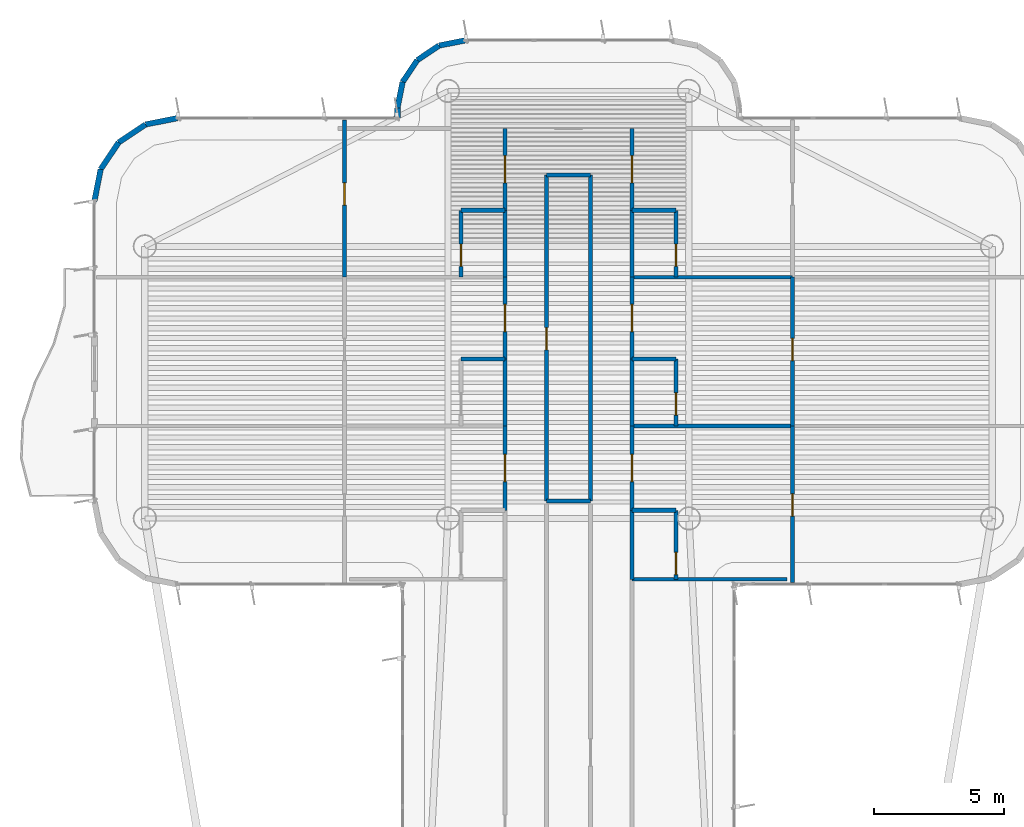
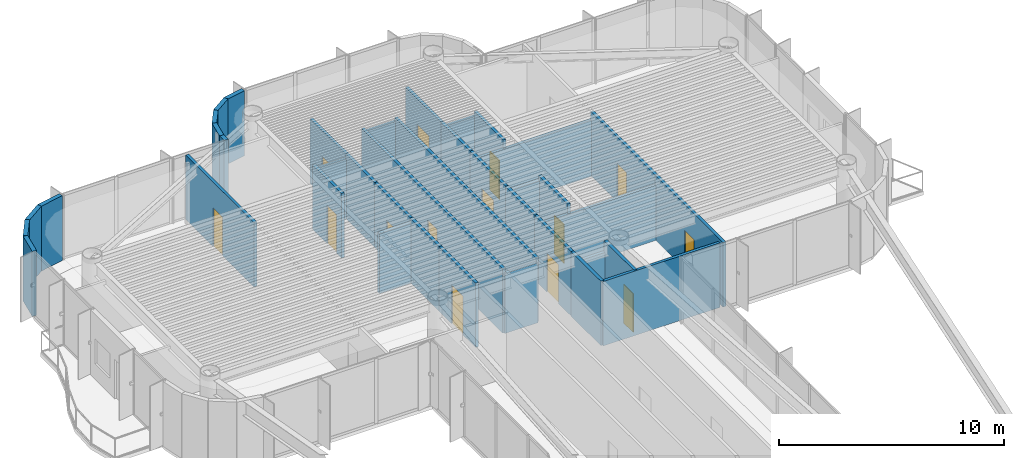
# One storey, part 12 of 16: 39 walls, 14 doors, 14 openings.
"""IFC4 building model written with IfcOpenShell, lengths in metres."""

from ifc_helpers import new_model, si_unit, direction, frame, frame_2d, origin, origin_2d, place, context, subcontext, project, spatial, rectangle, extrude, source, transform, mapped, material, layer, layer_set, type_object, element, fill, save


model = new_model("IFC4")

# Units and contexts
model_context = context("Model", 3, precision=1e-05, world=origin(), true_north=direction((0.0, 1.0)))
body_context = subcontext(model_context, "Body", "Model", "MODEL_VIEW")
ifc_project = project(units=[si_unit("LENGTHUNIT", "METRE"), si_unit("AREAUNIT", "SQUARE_METRE"), si_unit("VOLUMEUNIT", "CUBIC_METRE"), si_unit("PLANEANGLEUNIT", "RADIAN"), si_unit("MASSUNIT", "GRAM", prefix="KILO")], contexts=[model_context])

# Site, building, storey
site_placement = place(None, origin())
site = spatial("IfcSite", under=ifc_project, at=site_placement, CompositionType="ELEMENT")
building_placement = place(site_placement, origin())
building = spatial("IfcBuilding", under=site, at=building_placement, Name="Brelvock Crest Care Tower", CompositionType="ELEMENT")
storey_placement = place(building_placement, frame((0.0, 0.0, 238.139892578125)))
storey = spatial("IfcBuildingStorey", under=building, at=storey_placement, Name="L60", CompositionType="ELEMENT", Elevation=238.139892578125)

# Walls
ifc_material_1 = material(Name="Precast concrete N40 (40 MPa)", Category="concrete")
ifc_layer_1 = layer(ifc_material_1, 0.215087890625, Name="WL-EX2")
ifc_layer_set_1 = layer_set([ifc_layer_1], Name="Precast concrete N40 (40 MPa)")
wall_type_1 = type_object("IfcWallType", Name="WL-EX2", PredefinedType="SOLIDWALL", material=ifc_layer_set_1)
for number, where, z_axis, x_axis, name in (
    (1, (17.699951171875, 56.199951171875, 0.0), (0.0, 0.0, 1.0), (0.195138390419, 0.980775717779, 0.0), "L60 Rounded Corner Wall 18"),
    (2, (17.943603515625, 57.424560546875, 0.0), (0.0, 0.0, 1.0), (0.555557312883, 0.831478245117, 0.0), "L60 Rounded Corner Wall 19"),
    (3, (18.63720703125, 58.462646484375, 0.0), (0.0, 0.0, 1.0), (0.831387912822, 0.555692485475, 0.0), "L60 Rounded Corner Wall 20"),
    (4, (19.67529296875, 59.156494140625, 0.0), (0.0, 0.0, 1.0), (0.980813122964, 0.194950295773, 0.0), "L60 Rounded Corner Wall 21"),
):
    element("IfcWall", number, at=place(storey_placement, frame(where, z_axis=z_axis, x_axis=x_axis)), inside=storey, type_object=wall_type_1, Name=name, PredefinedType="SOLIDWALL", context=body_context, shape_type="SweptSolid", body=[
        extrude(rectangle(XDim=1.24853515625, YDim=0.215087890625, at=frame_2d((0.624267578125, 0.0))), origin(), (0.0, 0.0, 1.0), 3.530029296875),
    ])
wall_1_placement = place(storey_placement, frame((29.39990234375, 59.39990234375, 0.0), z_axis=(0.0, 0.0, 1.0), x_axis=(0.0, 1.0, 0.0)))
element("IfcWall", 5, at=wall_1_placement, inside=storey, type_object=wall_type_1, Name="L60 Rounded Corner Wall 23", PredefinedType="SOLIDWALL", context=body_context, shape_type="SweptSolid", body=[
    extrude(rectangle(XDim=0.400146484375, YDim=0.215087890625, at=frame_2d((0.2001953125, 0.0))), origin(), (0.0, 0.0, 1.0), 3.530029296875),
])
wall_2_placement = place(storey_placement, frame((29.39990234375, 59.800048828125, 0.0), z_axis=(0.0, 0.0, 1.0), x_axis=(0.195190360752, 0.980765376158, 0.0)))
element("IfcWall", 6, at=wall_2_placement, inside=storey, type_object=wall_type_1, Name="L60 Rounded Corner Wall 24", PredefinedType="SOLIDWALL", context=body_context, shape_type="SweptSolid", body=[
    extrude(rectangle(XDim=1.014404296875, YDim=0.215087890625, at=frame_2d((0.50732421875, 0.0))), origin(), (0.0, 0.0, 1.0), 3.530029296875),
])
wall_3_placement = place(storey_placement, frame((29.597900390625, 60.794921875, 0.0), z_axis=(0.0, 0.0, 1.0), x_axis=(0.555643898837, 0.831420385657, 0.0)))
element("IfcWall", 7, at=wall_3_placement, inside=storey, type_object=wall_type_1, Name="L60 Rounded Corner Wall 25", PredefinedType="SOLIDWALL", context=body_context, shape_type="SweptSolid", body=[
    extrude(rectangle(XDim=1.0146484375, YDim=0.215087890625, at=frame_2d((0.50732421875, 0.0))), origin(), (0.0, 0.0, 1.0), 3.530029296875),
])
wall_4_placement = place(storey_placement, frame((30.16162109375, 61.638427734375, 0.0), z_axis=(0.0, 0.0, 1.0), x_axis=(0.831346067305, 0.555755086685, 0.0)))
element("IfcWall", 8, at=wall_4_placement, inside=storey, type_object=wall_type_1, Name="L60 Rounded Corner Wall 26", PredefinedType="SOLIDWALL", context=body_context, shape_type="SweptSolid", body=[
    extrude(rectangle(XDim=1.014404296875, YDim=0.215087890625, at=frame_2d((0.50732421875, 0.0))), origin(), (0.0, 0.0, 1.0), 3.530029296875),
])
wall_5_placement = place(storey_placement, frame((31.0048828125, 62.2021484375, 0.0), z_axis=(0.0, 0.0, 1.0), x_axis=(0.980820570666, 0.194912821943, 0.0)))
element("IfcWall", 9, at=wall_5_placement, inside=storey, type_object=wall_type_1, Name="L60 Rounded Corner Wall 27", PredefinedType="SOLIDWALL", context=body_context, shape_type="SweptSolid", body=[
    extrude(rectangle(XDim=1.0146484375, YDim=0.215087890625, at=frame_2d((0.50732421875, 0.0))), origin(), (0.0, 0.0, 1.0), 3.530029296875),
])
ifc_material_2 = material(Name="Masonry Blockwork Acoustic Partition", Category="masonry")
ifc_layer_2 = layer(ifc_material_2, 0.14990234375, Name="WL-INT1")
ifc_layer_set_2 = layer_set([ifc_layer_2], Name="Masonry Blockwork Acoustic Partition")
wall_type_2 = type_object("IfcWallType", Name="WL-INT1", PredefinedType="PARTITIONING", material=ifc_layer_set_2)
wall_6_placement = place(storey_placement, frame((38.449951171875, 41.60009765625, 0.0), z_axis=(0.0, 0.0, 1.0), x_axis=(1.0, 0.0, 0.0)))
element("IfcWall", 10, at=wall_6_placement, inside=storey, type_object=wall_type_2, Name="L60 Interior Wall WL-BX-L60-CS-ES1-S", PredefinedType="PARTITIONING", context=body_context, shape_type="SweptSolid", body=[
    extrude(rectangle(XDim=5.993408203125, YDim=0.14990234375, at=frame_2d((2.99658203125, 0.0))), origin(), (0.0, 0.0, 1.0), 3.5),
])
wall_7_placement = place(storey_placement, frame((35.14990234375, 44.6201171875, 0.0), z_axis=(0.0, 0.0, 1.0), x_axis=(1.0, 0.0, 0.0)))
element("IfcWall", 11, at=wall_7_placement, inside=storey, type_object=wall_type_2, Name="L60 Interior Wall WL-BX-L60-ISKT-S", PredefinedType="PARTITIONING", context=body_context, shape_type="SweptSolid", body=[
    extrude(rectangle(XDim=1.7001953125, YDim=0.14990234375, at=frame_2d((0.85009765625, 0.0))), origin(), (0.0, 0.0, 1.0), 3.259033203125),
])
wall_8_placement = place(storey_placement, frame((38.449951171875, 47.51611328125, 0.0), z_axis=(0.0, 0.0, 1.0), x_axis=(1.0, 0.0, 0.0)))
element("IfcWall", 12, at=wall_8_placement, inside=storey, type_object=wall_type_2, Name="L60 Interior Wall WL-BX-L60-CS-ES1-N", PredefinedType="PARTITIONING", context=body_context, shape_type="SweptSolid", body=[
    extrude(rectangle(XDim=6.199951171875, YDim=0.14990234375, at=frame_2d((3.10009765625, 0.0))), origin(), (0.0, 0.0, 1.0), 2.982177734375),
])
wall_9_placement = place(storey_placement, frame((38.449951171875, 53.258056640625, 0.0), z_axis=(0.0, 0.0, 1.0), x_axis=(1.0, 0.0, 0.0)))
element("IfcWall", 13, at=wall_9_placement, inside=storey, type_object=wall_type_2, Name="L60 Interior Wall WL-BX-L60-CS-ES2-N", PredefinedType="PARTITIONING", context=body_context, shape_type="SweptSolid", body=[
    extrude(rectangle(XDim=6.199951171875, YDim=0.14990234375, at=frame_2d((3.10009765625, 0.0))), origin(), (0.0, 0.0, 1.0), 3.05517578125),
])
wall_10_placement = place(storey_placement, frame((35.14990234375, 57.199951171875, 0.0), z_axis=(0.0, 0.0, 1.0), x_axis=(1.0, 0.0, 0.0)))
element("IfcWall", 14, at=wall_10_placement, inside=storey, type_object=wall_type_2, Name="L60 Interior Wall WL-BX-L60-ISKT-N", PredefinedType="PARTITIONING", context=body_context, shape_type="SweptSolid", body=[
    extrude(rectangle(XDim=1.7001953125, YDim=0.14990234375, at=frame_2d((0.85009765625, 0.0))), origin(), (0.0, 0.0, 1.0), 3.30810546875),
])

# Wall, opening, door
wall_11_placement = place(storey_placement, frame((27.35009765625, 53.258056640625, 0.0), z_axis=(0.0, 0.0, 1.0), x_axis=(0.0, 1.0, 0.0)))
wall_11 = element("IfcWall", 15, at=wall_11_placement, inside=storey, type_object=wall_type_2, Name="L60 Interior Wall WL-RM-L60-WS3S", PredefinedType="PARTITIONING", context=body_context, shape_type="SweptSolid", body=[
    extrude(rectangle(XDim=6.064453125, YDim=0.14990234375, at=frame_2d((3.0322265625, 0.0))), origin(), (0.0, 0.0, 1.0), 3.5),
])
opening_1_placement = place(wall_11_placement, frame((2.781982421875, 0.0, 0.0)))
opening_1 = element("IfcOpeningElement", 16, at=opening_1_placement, cuts=wall_11, Name="Opening ID-1", PredefinedType="OPENING", context=body_context, shape_type="SweptSolid", body=[
    extrude(rectangle(XDim=0.860107421875, YDim=2.10009765625, at=origin_2d()), frame((0.43017578125, 0.0849609375, 1.050048828125), z_axis=(0.0, -1.0, 0.0), x_axis=(1.0, 0.0, 0.0)), (0.0, 0.0, 1.0), 0.169921875),
])
ifc_material_3 = material(Name="Engineered Hardwood Timber", Category="wood")
door_type_1 = type_object("IfcDoorType", Name="DR-INT1", OperationType="NOTDEFINED", PredefinedType="DOOR", material=ifc_material_3)
shared_shape_1 = source(origin(), body_context, "Body", "SweptSolid", [
    extrude(rectangle(XDim=0.860107421875, YDim=2.10009765625, at=origin_2d()), frame((0.43017578125, 0.02490234375, 1.050048828125), z_axis=(0.0, -1.0, 0.0), x_axis=(1.0, 0.0, 0.0)), (0.0, 0.0, 1.0), 0.050048828125),
])
door_1_placement = place(opening_1_placement, origin())
door_1 = element("IfcDoor", 17, at=door_1_placement, inside=storey, type_object=door_type_1, Name="L60 Assisted Care Mobility Store Door WS3S", OperationType="SINGLE_SWING_LEFT", OverallHeight=2.10009765625, OverallWidth=0.860107421875, PredefinedType="DOOR", context=body_context, shape_type="MappedRepresentation", body=[
    mapped(shared_shape_1, transform((0.0, 0.0, 0.0), x_axis=(1.0, 0.0, 0.0), y_axis=(0.0, 1.0, 0.0), z_axis=(0.0, 0.0, 1.0), scale=1.0)),
])
fill(opening_1, door_1)

wall_12_placement = place(storey_placement, frame((33.550048828125, 44.261962890625, 0.0), z_axis=(0.0, 0.0, 1.0), x_axis=(0.0, 1.0, 0.0)))
wall_12 = element("IfcWall", 18, at=wall_12_placement, inside=storey, type_object=wall_type_2, Name="L60 Interior Wall WL-CENT-L60-WS1", PredefinedType="PARTITIONING", context=body_context, shape_type="SweptSolid", body=[
    extrude(rectangle(XDim=3.254150390625, YDim=0.14990234375, at=frame_2d((1.626953125, 0.0))), origin(), (0.0, 0.0, 1.0), 3.5),
])
opening_2_placement = place(wall_12_placement, frame((1.10693359375, 0.0, 0.0)))
opening_2 = element("IfcOpeningElement", 19, at=opening_2_placement, cuts=wall_12, Name="Opening CD-1", PredefinedType="OPENING", context=body_context, shape_type="SweptSolid", body=[
    extrude(rectangle(XDim=1.050048828125, YDim=2.10009765625, at=origin_2d()), frame((0.52490234375, 0.0849609375, 1.050048828125), z_axis=(0.0, -1.0, 0.0), x_axis=(1.0, 0.0, 0.0)), (0.0, 0.0, 1.0), 0.169921875),
])
door_type_2 = type_object("IfcDoorType", Name="DR-CARE1", OperationType="NOTDEFINED", PredefinedType="DOOR", material=ifc_material_3)
shared_shape_2 = source(origin(), body_context, "Body", "SweptSolid", [
    extrude(rectangle(XDim=1.050048828125, YDim=2.10009765625, at=origin_2d()), frame((0.52490234375, 0.02490234375, 1.050048828125), z_axis=(0.0, -1.0, 0.0), x_axis=(1.0, 0.0, 0.0)), (0.0, 0.0, 1.0), 0.050048828125),
])
door_2_placement = place(opening_2_placement, origin())
door_2 = element("IfcDoor", 20, at=door_2_placement, inside=storey, type_object=door_type_2, Name="L60 Care Suite Door WS1", OperationType="SINGLE_SWING_LEFT", OverallHeight=2.10009765625, OverallWidth=1.050048828125, PredefinedType="DOOR", context=body_context, shape_type="MappedRepresentation", body=[
    mapped(shared_shape_2, transform((0.0, 0.0, 0.0), x_axis=(1.0, 0.0, 0.0), y_axis=(0.0, 1.0, 0.0), z_axis=(0.0, 0.0, 1.0), scale=1.0)),
])
fill(opening_2, door_2)

wall_13_placement = place(storey_placement, frame((33.550048828125, 50.10009765625, 0.0), z_axis=(0.0, 0.0, 1.0), x_axis=(0.0, 1.0, 0.0)))
wall_13 = element("IfcWall", 21, at=wall_13_placement, inside=storey, type_object=wall_type_2, Name="L60 Interior Wall WL-CENT-L60-WS2", PredefinedType="PARTITIONING", context=body_context, shape_type="SweptSolid", body=[
    extrude(rectangle(XDim=3.157958984375, YDim=0.14990234375, at=frame_2d((1.5791015625, 0.0))), origin(), (0.0, 0.0, 1.0), 3.5),
])
opening_3_placement = place(wall_13_placement, frame((1.05908203125, 0.0, 0.0)))
opening_3 = element("IfcOpeningElement", 22, at=opening_3_placement, cuts=wall_13, Name="Opening CD-1", PredefinedType="OPENING", context=body_context, shape_type="SweptSolid", body=[
    extrude(rectangle(XDim=1.050048828125, YDim=2.10009765625, at=origin_2d()), frame((0.52490234375, 0.0849609375, 1.050048828125), z_axis=(0.0, -1.0, 0.0), x_axis=(1.0, 0.0, 0.0)), (0.0, 0.0, 1.0), 0.169921875),
])
door_3_placement = place(opening_3_placement, origin())
door_3 = element("IfcDoor", 23, at=door_3_placement, inside=storey, type_object=door_type_2, Name="L60 Care Suite Door WS2", OperationType="SINGLE_SWING_LEFT", OverallHeight=2.10009765625, OverallWidth=1.050048828125, PredefinedType="DOOR", context=body_context, shape_type="MappedRepresentation", body=[
    mapped(shared_shape_2, transform((0.0, 0.0, 0.0), x_axis=(1.0, 0.0, 0.0), y_axis=(0.0, 1.0, 0.0), z_axis=(0.0, 0.0, 1.0), scale=1.0)),
])
fill(opening_3, door_3)

wall_14_placement = place(storey_placement, frame((33.550048828125, 55.842041015625, 0.0), z_axis=(0.0, 0.0, 1.0), x_axis=(0.0, 1.0, 0.0)))
wall_14 = element("IfcWall", 24, at=wall_14_placement, inside=storey, type_object=wall_type_2, Name="L60 Interior Wall WL-CENT-L60-WS3", PredefinedType="PARTITIONING", context=body_context, shape_type="SweptSolid", body=[
    extrude(rectangle(XDim=3.157958984375, YDim=0.14990234375, at=frame_2d((1.5791015625, 0.0))), origin(), (0.0, 0.0, 1.0), 3.5),
])
opening_4_placement = place(wall_14_placement, frame((1.05908203125, 0.0, 0.0)))
opening_4 = element("IfcOpeningElement", 25, at=opening_4_placement, cuts=wall_14, Name="Opening CD-1", PredefinedType="OPENING", context=body_context, shape_type="SweptSolid", body=[
    extrude(rectangle(XDim=1.050048828125, YDim=2.10009765625, at=origin_2d()), frame((0.52490234375, 0.0849609375, 1.050048828125), z_axis=(0.0, -1.0, 0.0), x_axis=(1.0, 0.0, 0.0)), (0.0, 0.0, 1.0), 0.169921875),
])
door_4_placement = place(opening_4_placement, origin())
door_4 = element("IfcDoor", 26, at=door_4_placement, inside=storey, type_object=door_type_2, Name="L60 Care Suite Door WS3", OperationType="SINGLE_SWING_LEFT", OverallHeight=2.10009765625, OverallWidth=1.050048828125, PredefinedType="DOOR", context=body_context, shape_type="MappedRepresentation", body=[
    mapped(shared_shape_2, transform((0.0, 0.0, 0.0), x_axis=(1.0, 0.0, 0.0), y_axis=(0.0, 1.0, 0.0), z_axis=(0.0, 0.0, 1.0), scale=1.0)),
])
fill(opening_4, door_4)

wall_15_placement = place(storey_placement, frame((35.14990234375, 44.6201171875, 0.0), z_axis=(0.0, 0.0, 1.0), x_axis=(0.0, 1.0, 0.0)))
wall_15 = element("IfcWall", 27, at=wall_15_placement, inside=storey, type_object=wall_type_2, Name="L60 Interior Wall WL-RM-L60-ISKT", PredefinedType="PARTITIONING", context=body_context, shape_type="SweptSolid", body=[
    extrude(rectangle(XDim=12.579833984375, YDim=0.14990234375, at=frame_2d((6.2900390625, 0.0))), origin(), (0.0, 0.0, 1.0), 3.5),
])
opening_5_placement = place(wall_15_placement, frame((5.830078125, 0.0, 0.0)))
opening_5 = element("IfcOpeningElement", 28, at=opening_5_placement, cuts=wall_15, Name="Opening ID-1", PredefinedType="OPENING", context=body_context, shape_type="SweptSolid", body=[
    extrude(rectangle(XDim=0.860107421875, YDim=2.10009765625, at=origin_2d()), frame((0.43017578125, 0.0849609375, 1.050048828125), z_axis=(0.0, -1.0, 0.0), x_axis=(1.0, 0.0, 0.0)), (0.0, 0.0, 1.0), 0.169921875),
])
door_5_placement = place(opening_5_placement, origin())
door_5 = element("IfcDoor", 29, at=door_5_placement, inside=storey, type_object=door_type_1, Name="L60 Communal Tea and Nutrition Pantry Door ISKT", OperationType="SINGLE_SWING_LEFT", OverallHeight=2.10009765625, OverallWidth=0.860107421875, PredefinedType="DOOR", context=body_context, shape_type="MappedRepresentation", body=[
    mapped(shared_shape_1, transform((0.0, 0.0, 0.0), x_axis=(1.0, 0.0, 0.0), y_axis=(0.0, 1.0, 0.0), z_axis=(0.0, 0.0, 1.0), scale=1.0)),
])
fill(opening_5, door_5)

# Wall
wall_16_placement = place(storey_placement, frame((36.85009765625, 44.6201171875, 0.0), z_axis=(0.0, 0.0, 1.0), x_axis=(0.0, 1.0, 0.0)))
element("IfcWall", 30, at=wall_16_placement, inside=storey, type_object=wall_type_2, Name="L60 Interior Wall WL-BX-L60-ISKT-E", PredefinedType="PARTITIONING", context=body_context, shape_type="SweptSolid", body=[
    extrude(rectangle(XDim=12.579833984375, YDim=0.14990234375, at=frame_2d((6.2900390625, 0.0))), origin(), (0.0, 0.0, 1.0), 3.5),
])

# Wall, opening, door
wall_17_placement = place(storey_placement, frame((38.449951171875, 44.261962890625, 0.0), z_axis=(0.0, 0.0, 1.0), x_axis=(0.0, 1.0, 0.0)))
wall_17 = element("IfcWall", 31, at=wall_17_placement, inside=storey, type_object=wall_type_2, Name="L60 Interior Wall WL-CENT-L60-ES1", PredefinedType="PARTITIONING", context=body_context, shape_type="SweptSolid", body=[
    extrude(rectangle(XDim=3.254150390625, YDim=0.14990234375, at=frame_2d((1.626953125, 0.0))), origin(), (0.0, 0.0, 1.0), 3.5),
])
opening_6_placement = place(wall_17_placement, frame((1.10693359375, 0.0, 0.0)))
opening_6 = element("IfcOpeningElement", 32, at=opening_6_placement, cuts=wall_17, Name="Opening CD-1", PredefinedType="OPENING", context=body_context, shape_type="SweptSolid", body=[
    extrude(rectangle(XDim=1.050048828125, YDim=2.10009765625, at=origin_2d()), frame((0.52490234375, 0.0849609375, 1.050048828125), z_axis=(0.0, -1.0, 0.0), x_axis=(1.0, 0.0, 0.0)), (0.0, 0.0, 1.0), 0.169921875),
])
door_6_placement = place(opening_6_placement, origin())
door_6 = element("IfcDoor", 33, at=door_6_placement, inside=storey, type_object=door_type_2, Name="L60 Care Suite Door ES1", OperationType="SINGLE_SWING_LEFT", OverallHeight=2.10009765625, OverallWidth=1.050048828125, PredefinedType="DOOR", context=body_context, shape_type="MappedRepresentation", body=[
    mapped(shared_shape_2, transform((0.0, 0.0, 0.0), x_axis=(1.0, 0.0, 0.0), y_axis=(0.0, 1.0, 0.0), z_axis=(0.0, 0.0, 1.0), scale=1.0)),
])
fill(opening_6, door_6)

wall_18_placement = place(storey_placement, frame((38.449951171875, 50.10009765625, 0.0), z_axis=(0.0, 0.0, 1.0), x_axis=(0.0, 1.0, 0.0)))
wall_18 = element("IfcWall", 34, at=wall_18_placement, inside=storey, type_object=wall_type_2, Name="L60 Interior Wall WL-CENT-L60-ES2", PredefinedType="PARTITIONING", context=body_context, shape_type="SweptSolid", body=[
    extrude(rectangle(XDim=3.157958984375, YDim=0.14990234375, at=frame_2d((1.5791015625, 0.0))), origin(), (0.0, 0.0, 1.0), 3.5),
])
opening_7_placement = place(wall_18_placement, frame((1.05908203125, 0.0, 0.0)))
opening_7 = element("IfcOpeningElement", 35, at=opening_7_placement, cuts=wall_18, Name="Opening CD-1", PredefinedType="OPENING", context=body_context, shape_type="SweptSolid", body=[
    extrude(rectangle(XDim=1.050048828125, YDim=2.10009765625, at=origin_2d()), frame((0.52490234375, 0.0849609375, 1.050048828125), z_axis=(0.0, -1.0, 0.0), x_axis=(1.0, 0.0, 0.0)), (0.0, 0.0, 1.0), 0.169921875),
])
door_7_placement = place(opening_7_placement, origin())
door_7 = element("IfcDoor", 36, at=door_7_placement, inside=storey, type_object=door_type_2, Name="L60 Care Suite Door ES2", OperationType="SINGLE_SWING_LEFT", OverallHeight=2.10009765625, OverallWidth=1.050048828125, PredefinedType="DOOR", context=body_context, shape_type="MappedRepresentation", body=[
    mapped(shared_shape_2, transform((0.0, 0.0, 0.0), x_axis=(1.0, 0.0, 0.0), y_axis=(0.0, 1.0, 0.0), z_axis=(0.0, 0.0, 1.0), scale=1.0)),
])
fill(opening_7, door_7)

wall_19_placement = place(storey_placement, frame((38.449951171875, 55.842041015625, 0.0), z_axis=(0.0, 0.0, 1.0), x_axis=(0.0, 1.0, 0.0)))
wall_19 = element("IfcWall", 37, at=wall_19_placement, inside=storey, type_object=wall_type_2, Name="L60 Interior Wall WL-CENT-L60-ES3", PredefinedType="PARTITIONING", context=body_context, shape_type="SweptSolid", body=[
    extrude(rectangle(XDim=3.157958984375, YDim=0.14990234375, at=frame_2d((1.5791015625, 0.0))), origin(), (0.0, 0.0, 1.0), 3.5),
])
opening_8_placement = place(wall_19_placement, frame((1.05908203125, 0.0, 0.0)))
opening_8 = element("IfcOpeningElement", 38, at=opening_8_placement, cuts=wall_19, Name="Opening CD-1", PredefinedType="OPENING", context=body_context, shape_type="SweptSolid", body=[
    extrude(rectangle(XDim=1.050048828125, YDim=2.10009765625, at=origin_2d()), frame((0.52490234375, 0.0849609375, 1.050048828125), z_axis=(0.0, -1.0, 0.0), x_axis=(1.0, 0.0, 0.0)), (0.0, 0.0, 1.0), 0.169921875),
])
door_8_placement = place(opening_8_placement, origin())
door_8 = element("IfcDoor", 39, at=door_8_placement, inside=storey, type_object=door_type_2, Name="L60 Care Suite Door ES3", OperationType="SINGLE_SWING_LEFT", OverallHeight=2.10009765625, OverallWidth=1.050048828125, PredefinedType="DOOR", context=body_context, shape_type="MappedRepresentation", body=[
    mapped(shared_shape_2, transform((0.0, 0.0, 0.0), x_axis=(1.0, 0.0, 0.0), y_axis=(0.0, 1.0, 0.0), z_axis=(0.0, 0.0, 1.0), scale=1.0)),
])
fill(opening_8, door_8)

wall_20_placement = place(storey_placement, frame((44.64990234375, 41.47998046875, 0.0), z_axis=(0.0, 0.0, 1.0), x_axis=(0.0, 1.0, 0.0)))
wall_20 = element("IfcWall", 40, at=wall_20_placement, inside=storey, type_object=wall_type_2, Name="L60 Interior Wall WL-RM-L60-ES1S", PredefinedType="PARTITIONING", context=body_context, shape_type="SweptSolid", body=[
    extrude(rectangle(XDim=6.0361328125, YDim=0.14990234375, at=frame_2d((3.01806640625, 0.0))), origin(), (0.0, 0.0, 1.0), 3.5),
])
opening_9_placement = place(wall_20_placement, frame((2.56005859375, 0.0, 0.0)))
opening_9 = element("IfcOpeningElement", 41, at=opening_9_placement, cuts=wall_20, Name="Opening ID-1", PredefinedType="OPENING", context=body_context, shape_type="SweptSolid", body=[
    extrude(rectangle(XDim=0.860107421875, YDim=2.10009765625, at=origin_2d()), frame((0.43017578125, 0.0849609375, 1.050048828125), z_axis=(0.0, -1.0, 0.0), x_axis=(1.0, 0.0, 0.0)), (0.0, 0.0, 1.0), 0.169921875),
])
door_9_placement = place(opening_9_placement, origin())
door_9 = element("IfcDoor", 42, at=door_9_placement, inside=storey, type_object=door_type_1, Name="L60 Assisted Care Mobility Store Door ES1S", OperationType="SINGLE_SWING_LEFT", OverallHeight=2.10009765625, OverallWidth=0.860107421875, PredefinedType="DOOR", context=body_context, shape_type="MappedRepresentation", body=[
    mapped(shared_shape_1, transform((0.0, 0.0, 0.0), x_axis=(1.0, 0.0, 0.0), y_axis=(0.0, 1.0, 0.0), z_axis=(0.0, 0.0, 1.0), scale=1.0)),
])
fill(opening_9, door_9)

wall_21_placement = place(storey_placement, frame((44.64990234375, 47.51611328125, 0.0), z_axis=(0.0, 0.0, 1.0), x_axis=(0.0, 1.0, 0.0)))
wall_21 = element("IfcWall", 43, at=wall_21_placement, inside=storey, type_object=wall_type_2, Name="L60 Interior Wall WL-RM-L60-ES2S", PredefinedType="PARTITIONING", context=body_context, shape_type="SweptSolid", body=[
    extrude(rectangle(XDim=5.741943359375, YDim=0.14990234375, at=frame_2d((2.87109375, 0.0))), origin(), (0.0, 0.0, 1.0), 3.5),
])
opening_10_placement = place(wall_21_placement, frame((2.52392578125, 0.0, 0.0)))
opening_10 = element("IfcOpeningElement", 44, at=opening_10_placement, cuts=wall_21, Name="Opening ID-1", PredefinedType="OPENING", context=body_context, shape_type="SweptSolid", body=[
    extrude(rectangle(XDim=0.860107421875, YDim=2.10009765625, at=origin_2d()), frame((0.43017578125, 0.0849609375, 1.050048828125), z_axis=(0.0, -1.0, 0.0), x_axis=(1.0, 0.0, 0.0)), (0.0, 0.0, 1.0), 0.169921875),
])
door_10_placement = place(opening_10_placement, origin())
door_10 = element("IfcDoor", 45, at=door_10_placement, inside=storey, type_object=door_type_1, Name="L60 Assisted Care Mobility Store Door ES2S", OperationType="SINGLE_SWING_LEFT", OverallHeight=2.10009765625, OverallWidth=0.860107421875, PredefinedType="DOOR", context=body_context, shape_type="MappedRepresentation", body=[
    mapped(shared_shape_1, transform((0.0, 0.0, 0.0), x_axis=(1.0, 0.0, 0.0), y_axis=(0.0, 1.0, 0.0), z_axis=(0.0, 0.0, 1.0), scale=1.0)),
])
fill(opening_10, door_10)

# Walls
ifc_material_4 = material(Name="Gypsum Plasterboard Partition", Category="gypsum")
ifc_layer_3 = layer(ifc_material_4, 0.159912109375, Name="WL-PLM1")
ifc_layer_set_3 = layer_set([ifc_layer_3], Name="Gypsum Plasterboard Partition")
wall_type_3 = type_object("IfcWallType", Name="WL-PLM1", PredefinedType="PLUMBINGWALL", material=ifc_layer_set_3)
wall_22_placement = place(storey_placement, frame((38.449951171875, 44.261962890625, 0.0), z_axis=(0.0, 0.0, 1.0), x_axis=(1.0, 0.0, 0.0)))
element("IfcWall", 46, at=wall_22_placement, inside=storey, type_object=wall_type_3, Name="L60 Interior Wall WL-CENS2-L60-ES1", PredefinedType="PLUMBINGWALL", context=body_context, shape_type="SweptSolid", body=[
    extrude(rectangle(XDim=1.699951171875, YDim=0.159912109375, at=frame_2d((0.85009765625, 0.0))), origin(), (0.0, 0.0, 1.0), 2.903076171875),
])
for number, where, z_axis, x_axis, name in (
    (47, (31.85009765625, 50.10009765625, 0.0), (0.0, 0.0, 1.0), (1.0, 0.0, 0.0), "L60 Interior Wall WL-CENS2-L60-WS2"),
    (48, (38.449951171875, 50.10009765625, 0.0), (0.0, 0.0, 1.0), (1.0, 0.0, 0.0), "L60 Interior Wall WL-CENS2-L60-ES2"),
    (49, (31.85009765625, 55.842041015625, 0.0), (0.0, 0.0, 1.0), (1.0, 0.0, 0.0), "L60 Interior Wall WL-CENS2-L60-WS3"),
    (50, (38.449951171875, 55.842041015625, 0.0), (0.0, 0.0, 1.0), (1.0, 0.0, 0.0), "L60 Interior Wall WL-CENS2-L60-ES3"),
):
    element("IfcWall", number, at=place(storey_placement, frame(where, z_axis=z_axis, x_axis=x_axis)), inside=storey, type_object=wall_type_3, Name=name, PredefinedType="PLUMBINGWALL", context=body_context, shape_type="SweptSolid", body=[
        extrude(rectangle(XDim=1.699951171875, YDim=0.159912109375, at=frame_2d((0.85009765625, 0.0))), origin(), (0.0, 0.0, 1.0), 3.259033203125),
    ])

# Wall, opening, door
wall_23_placement = place(storey_placement, frame((31.85009765625, 53.258056640625, 0.0), z_axis=(0.0, 0.0, 1.0), x_axis=(0.0, 1.0, 0.0)))
wall_23 = element("IfcWall", 51, at=wall_23_placement, inside=storey, type_object=wall_type_3, Name="L60 Interior Wall WL-CENS1-L60-WS3", PredefinedType="PLUMBINGWALL", context=body_context, shape_type="SweptSolid", body=[
    extrude(rectangle(XDim=2.583984375, YDim=0.159912109375, at=frame_2d((1.2919921875, 0.0))), origin(), (0.0, 0.0, 1.0), 3.5),
])
opening_11_placement = place(wall_23_placement, frame((0.419921875, 0.0, 0.0)))
opening_11 = element("IfcOpeningElement", 52, at=opening_11_placement, cuts=wall_23, Name="Opening WD-1", PredefinedType="OPENING", context=body_context, shape_type="SweptSolid", body=[
    extrude(rectangle(XDim=0.860107421875, YDim=2.10009765625, at=origin_2d()), frame((0.43017578125, 0.08984375, 1.050048828125), z_axis=(0.0, -1.0, 0.0), x_axis=(1.0, 0.0, 0.0)), (0.0, 0.0, 1.0), 0.179931640625),
])
door_type_3 = type_object("IfcDoorType", Name="DR-WC1", OperationType="NOTDEFINED", PredefinedType="DOOR", material=ifc_material_3)
shared_shape_3 = source(origin(), body_context, "Body", "SweptSolid", [
    extrude(rectangle(XDim=0.860107421875, YDim=2.10009765625, at=origin_2d()), frame((0.43017578125, 0.02490234375, 1.050048828125), z_axis=(0.0, -1.0, 0.0), x_axis=(1.0, 0.0, 0.0)), (0.0, 0.0, 1.0), 0.050048828125),
])
door_11_placement = place(opening_11_placement, origin())
door_11 = element("IfcDoor", 53, at=door_11_placement, inside=storey, type_object=door_type_3, Name="L60 Care En-Suite Door WS3", OperationType="SINGLE_SWING_LEFT", OverallHeight=2.10009765625, OverallWidth=0.860107421875, PredefinedType="DOOR", context=body_context, shape_type="MappedRepresentation", body=[
    mapped(shared_shape_3, transform((0.0, 0.0, 0.0), x_axis=(1.0, 0.0, 0.0), y_axis=(0.0, 1.0, 0.0), z_axis=(0.0, 0.0, 1.0), scale=1.0)),
])
fill(opening_11, door_11)

# Walls
for number, where, z_axis, x_axis, name in (
    (54, (33.550048828125, 47.51611328125, 0.0), (0.0, 0.0, 1.0), (0.0, 1.0, 0.0), "L60 Interior Wall WL-CENS0-L60-WS2"),
    (55, (33.550048828125, 53.258056640625, 0.0), (0.0, 0.0, 1.0), (0.0, 1.0, 0.0), "L60 Interior Wall WL-CENS0-L60-WS3"),
):
    element("IfcWall", number, at=place(storey_placement, frame(where, z_axis=z_axis, x_axis=x_axis)), inside=storey, type_object=wall_type_3, Name=name, PredefinedType="PLUMBINGWALL", context=body_context, shape_type="SweptSolid", body=[
        extrude(rectangle(XDim=2.583984375, YDim=0.159912109375, at=frame_2d((1.2919921875, 0.0))), origin(), (0.0, 0.0, 1.0), 3.5),
    ])
wall_24_placement = place(storey_placement, frame((38.449951171875, 41.60009765625, 0.0), z_axis=(0.0, 0.0, 1.0), x_axis=(0.0, 1.0, 0.0)))
element("IfcWall", 56, at=wall_24_placement, inside=storey, type_object=wall_type_3, Name="L60 Interior Wall WL-CENS0-L60-ES1", PredefinedType="PLUMBINGWALL", context=body_context, shape_type="SweptSolid", body=[
    extrude(rectangle(XDim=2.661865234375, YDim=0.159912109375, at=frame_2d((1.3310546875, 0.0))), origin(), (0.0, 0.0, 1.0), 3.5),
])
for number, where, z_axis, x_axis, name in (
    (57, (38.449951171875, 47.51611328125, 0.0), (0.0, 0.0, 1.0), (0.0, 1.0, 0.0), "L60 Interior Wall WL-CENS0-L60-ES2"),
    (58, (38.449951171875, 53.258056640625, 0.0), (0.0, 0.0, 1.0), (0.0, 1.0, 0.0), "L60 Interior Wall WL-CENS0-L60-ES3"),
):
    element("IfcWall", number, at=place(storey_placement, frame(where, z_axis=z_axis, x_axis=x_axis)), inside=storey, type_object=wall_type_3, Name=name, PredefinedType="PLUMBINGWALL", context=body_context, shape_type="SweptSolid", body=[
        extrude(rectangle(XDim=2.583984375, YDim=0.159912109375, at=frame_2d((1.2919921875, 0.0))), origin(), (0.0, 0.0, 1.0), 3.5),
    ])

# Wall, opening, door
wall_25_placement = place(storey_placement, frame((40.14990234375, 41.60009765625, 0.0), z_axis=(0.0, 0.0, 1.0), x_axis=(0.0, 1.0, 0.0)))
wall_25 = element("IfcWall", 59, at=wall_25_placement, inside=storey, type_object=wall_type_3, Name="L60 Interior Wall WL-CENS1-L60-ES1", PredefinedType="PLUMBINGWALL", context=body_context, shape_type="SweptSolid", body=[
    extrude(rectangle(XDim=2.661865234375, YDim=0.159912109375, at=frame_2d((1.3310546875, 0.0))), origin(), (0.0, 0.0, 1.0), 3.5),
])
opening_12_placement = place(wall_25_placement, frame((0.179931640625, 0.0, 0.0)))
opening_12 = element("IfcOpeningElement", 60, at=opening_12_placement, cuts=wall_25, Name="Opening WD-1", PredefinedType="OPENING", context=body_context, shape_type="SweptSolid", body=[
    extrude(rectangle(XDim=0.860107421875, YDim=2.10009765625, at=origin_2d()), frame((0.43017578125, 0.08984375, 1.050048828125), z_axis=(0.0, -1.0, 0.0), x_axis=(1.0, 0.0, 0.0)), (0.0, 0.0, 1.0), 0.179931640625),
])
door_12_placement = place(opening_12_placement, origin())
door_12 = element("IfcDoor", 61, at=door_12_placement, inside=storey, type_object=door_type_3, Name="L60 Care En-Suite Door ES1", OperationType="SINGLE_SWING_RIGHT", OverallHeight=2.10009765625, OverallWidth=0.860107421875, PredefinedType="DOOR", context=body_context, shape_type="MappedRepresentation", body=[
    mapped(shared_shape_3, transform((0.0, 0.0, 0.0), x_axis=(1.0, 0.0, 0.0), y_axis=(0.0, 1.0, 0.0), z_axis=(0.0, 0.0, 1.0), scale=1.0)),
])
fill(opening_12, door_12)

wall_26_placement = place(storey_placement, frame((40.14990234375, 47.51611328125, 0.0), z_axis=(0.0, 0.0, 1.0), x_axis=(0.0, 1.0, 0.0)))
wall_26 = element("IfcWall", 62, at=wall_26_placement, inside=storey, type_object=wall_type_3, Name="L60 Interior Wall WL-CENS1-L60-ES2", PredefinedType="PLUMBINGWALL", context=body_context, shape_type="SweptSolid", body=[
    extrude(rectangle(XDim=2.583984375, YDim=0.159912109375, at=frame_2d((1.2919921875, 0.0))), origin(), (0.0, 0.0, 1.0), 3.5),
])
opening_13_placement = place(wall_26_placement, frame((0.419921875, 0.0, 0.0)))
opening_13 = element("IfcOpeningElement", 63, at=opening_13_placement, cuts=wall_26, Name="Opening WD-1", PredefinedType="OPENING", context=body_context, shape_type="SweptSolid", body=[
    extrude(rectangle(XDim=0.860107421875, YDim=2.10009765625, at=origin_2d()), frame((0.43017578125, 0.08984375, 1.050048828125), z_axis=(0.0, -1.0, 0.0), x_axis=(1.0, 0.0, 0.0)), (0.0, 0.0, 1.0), 0.179931640625),
])
door_13_placement = place(opening_13_placement, origin())
door_13 = element("IfcDoor", 64, at=door_13_placement, inside=storey, type_object=door_type_3, Name="L60 Care En-Suite Door ES2", OperationType="SINGLE_SWING_RIGHT", OverallHeight=2.10009765625, OverallWidth=0.860107421875, PredefinedType="DOOR", context=body_context, shape_type="MappedRepresentation", body=[
    mapped(shared_shape_3, transform((0.0, 0.0, 0.0), x_axis=(1.0, 0.0, 0.0), y_axis=(0.0, 1.0, 0.0), z_axis=(0.0, 0.0, 1.0), scale=1.0)),
])
fill(opening_13, door_13)

wall_27_placement = place(storey_placement, frame((40.14990234375, 53.258056640625, 0.0), z_axis=(0.0, 0.0, 1.0), x_axis=(0.0, 1.0, 0.0)))
wall_27 = element("IfcWall", 65, at=wall_27_placement, inside=storey, type_object=wall_type_3, Name="L60 Interior Wall WL-CENS1-L60-ES3", PredefinedType="PLUMBINGWALL", context=body_context, shape_type="SweptSolid", body=[
    extrude(rectangle(XDim=2.583984375, YDim=0.159912109375, at=frame_2d((1.2919921875, 0.0))), origin(), (0.0, 0.0, 1.0), 3.5),
])
opening_14_placement = place(wall_27_placement, frame((0.419921875, 0.0, 0.0)))
opening_14 = element("IfcOpeningElement", 66, at=opening_14_placement, cuts=wall_27, Name="Opening WD-1", PredefinedType="OPENING", context=body_context, shape_type="SweptSolid", body=[
    extrude(rectangle(XDim=0.860107421875, YDim=2.10009765625, at=origin_2d()), frame((0.43017578125, 0.08984375, 1.050048828125), z_axis=(0.0, -1.0, 0.0), x_axis=(1.0, 0.0, 0.0)), (0.0, 0.0, 1.0), 0.179931640625),
])
door_14_placement = place(opening_14_placement, origin())
door_14 = element("IfcDoor", 67, at=door_14_placement, inside=storey, type_object=door_type_3, Name="L60 Care En-Suite Door ES3", OperationType="SINGLE_SWING_RIGHT", OverallHeight=2.10009765625, OverallWidth=0.860107421875, PredefinedType="DOOR", context=body_context, shape_type="MappedRepresentation", body=[
    mapped(shared_shape_3, transform((0.0, 0.0, 0.0), x_axis=(1.0, 0.0, 0.0), y_axis=(0.0, 1.0, 0.0), z_axis=(0.0, 0.0, 1.0), scale=1.0)),
])
fill(opening_14, door_14)

save(model, "model.ifc")
